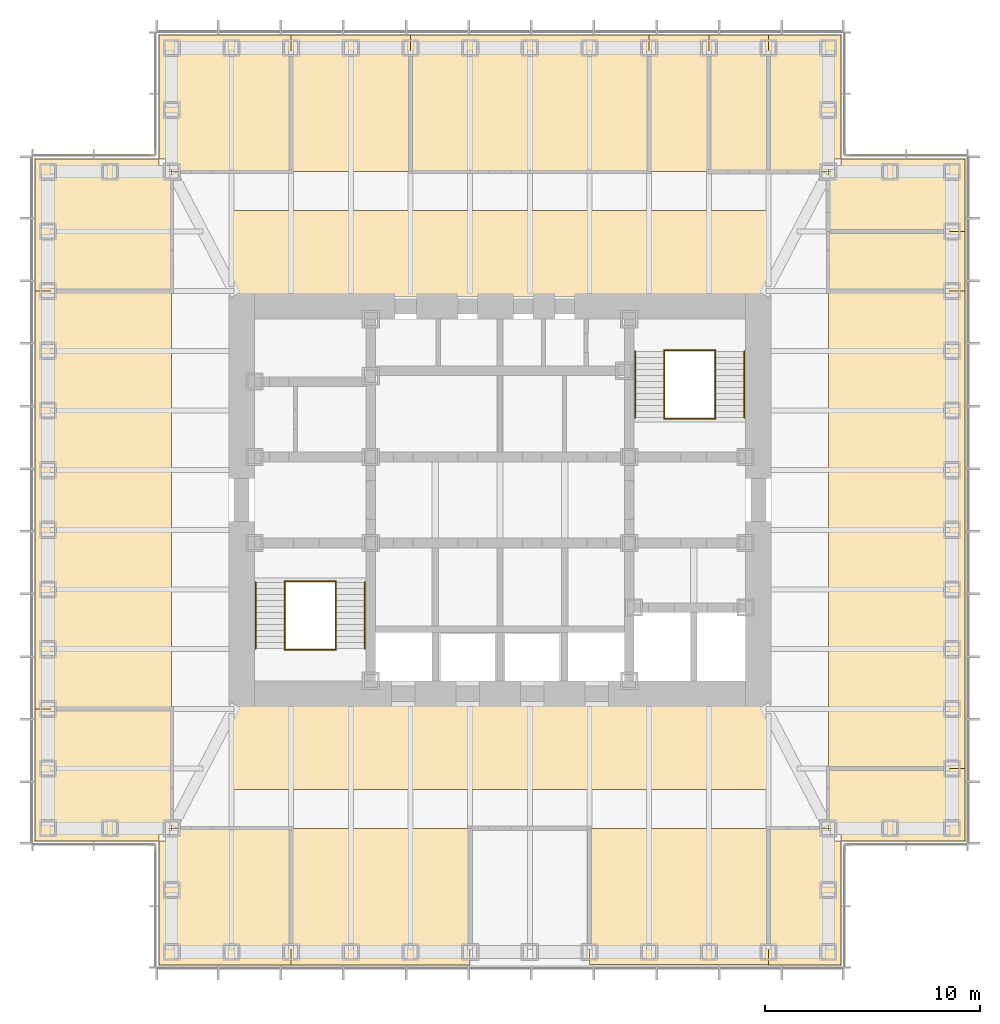
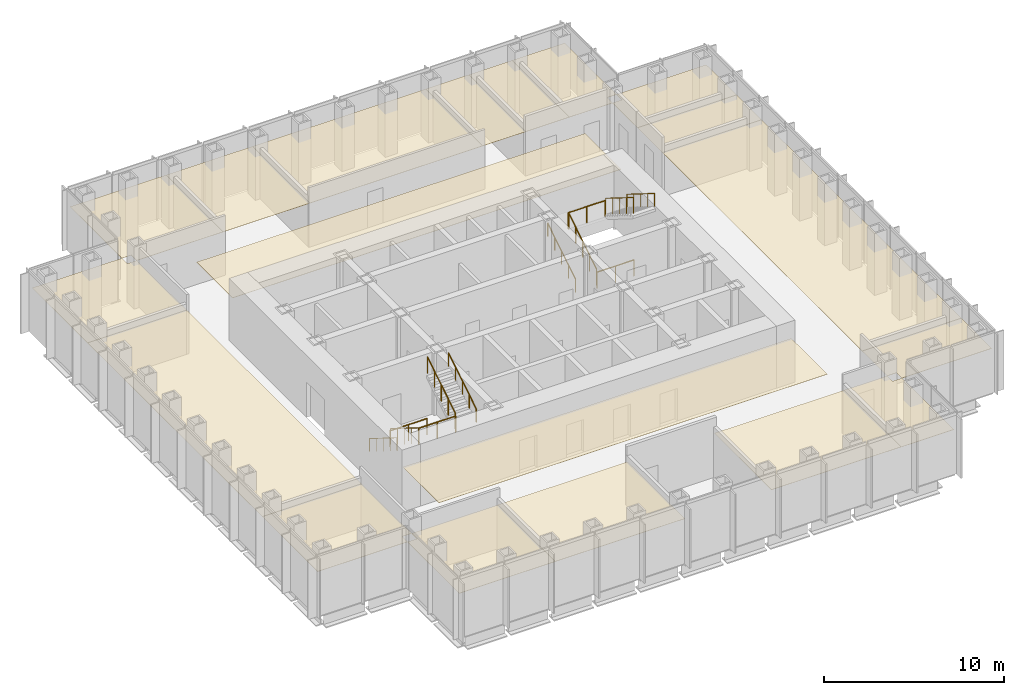
# One storey, part 16 of 16: 19 coverings, 12 railings.
"""IFC4 building model written with IfcOpenShell, lengths in metres."""

from ifc_helpers import new_model, si_unit, direction, frame, origin, origin_2d, place, context, subcontext, project, spatial, polyline, circle, outline, extrude, material, layer, layer_set, type_object, element, save


model = new_model("IFC4")

# Units and contexts
model_context = context("Model", 3, precision=1e-05, world=origin(), true_north=direction((0.0, 1.0)))
body_context = subcontext(model_context, "Body", "Model", "MODEL_VIEW")
ifc_project = project(units=[si_unit("LENGTHUNIT", "METRE"), si_unit("AREAUNIT", "SQUARE_METRE"), si_unit("VOLUMEUNIT", "CUBIC_METRE"), si_unit("PLANEANGLEUNIT", "RADIAN"), si_unit("MASSUNIT", "GRAM", prefix="KILO")], contexts=[model_context])

# Site, building, storey
site_placement = place(None, origin())
site = spatial("IfcSite", under=ifc_project, at=site_placement, CompositionType="ELEMENT")
building_placement = place(site_placement, origin())
building = spatial("IfcBuilding", under=site, at=building_placement, Name="Daluyong Arena Tower", CompositionType="ELEMENT")
storey_placement = place(building_placement, frame((0.0, 0.0, 254.5)))
storey = spatial("IfcBuildingStorey", under=building, at=storey_placement, Name="L57", CompositionType="ELEMENT", Elevation=254.5)

# Coverings
ifc_material_1 = material(Name="Mineral fibre ceiling tile", Category="gypsum board")
ifc_layer = layer(ifc_material_1, 0.02001953125)
ifc_layer_set = layer_set([ifc_layer], Name="Mineral fibre ceiling tile")
covering_type = type_object("IfcCoveringType", Name="Office ceiling", PredefinedType="CEILING", material=ifc_layer_set)
covering_1_placement = place(storey_placement, frame((0.0, 0.0, 2.89990234375)))
element("IfcCovering", 1, at=covering_1_placement, inside=storey, type_object=covering_type, Name="ceiling L57-01", PredefinedType="CEILING", context=body_context, shape_type="SweptSolid", body=[
    extrude(outline(polyline([(40.14990234375, 64.14990234375), (40.14990234375, 58.39990234375), (46.29541015625, 58.39990234375), (46.29541015625, 64.75), (40.75, 64.75), (40.75, 64.14990234375), (40.14990234375, 64.14990234375)])), origin(), (0.0, 0.0, 1.0), 0.02001953125),
])
covering_2_placement = place(storey_placement, frame((0.0, 0.0, 2.89990234375)))
element("IfcCovering", 2, at=covering_2_placement, inside=storey, type_object=covering_type, Name="ceiling L57-03", PredefinedType="CEILING", context=body_context, shape_type="SweptSolid", body=[
    extrude(outline(polyline([(71.85009765625, 58.39990234375), (71.85009765625, 64.14990234375), (71.25, 64.14990234375), (71.25, 64.75), (68.477294921875, 64.75), (68.477294921875, 58.39990234375), (71.85009765625, 58.39990234375)])), origin(), (0.0, 0.0, 1.0), 0.02001953125),
])
covering_3_placement = place(storey_placement, frame((0.0, 0.0, 2.89990234375)))
element("IfcCovering", 3, at=covering_3_placement, inside=storey, type_object=covering_type, Name="ceiling L57-04", PredefinedType="CEILING", context=body_context, shape_type="SweptSolid", body=[
    extrude(outline(polyline([(71.85009765625, 64.14990234375), (77.60009765625, 64.14990234375), (77.60009765625, 67.522705078125), (71.25, 67.522705078125), (71.25, 64.75), (71.85009765625, 64.75), (71.85009765625, 64.14990234375)])), origin(), (0.0, 0.0, 1.0), 0.02001953125),
])
covering_4_placement = place(storey_placement, frame((0.0, 0.0, 2.89990234375)))
element("IfcCovering", 4, at=covering_4_placement, inside=storey, type_object=covering_type, Name="ceiling L57-05", PredefinedType="CEILING", context=body_context, shape_type="SweptSolid", body=[
    extrude(outline(polyline([(71.25, 89.70458984375), (77.60009765625, 89.70458984375), (77.60009765625, 92.477294921875), (71.25, 92.477294921875), (71.25, 89.70458984375)])), origin(), (0.0, 0.0, 1.0), 0.02001953125),
])
covering_5_placement = place(storey_placement, frame((0.0, 0.0, 2.89990234375)))
element("IfcCovering", 5, at=covering_5_placement, inside=storey, type_object=covering_type, Name="ceiling L57-06", PredefinedType="CEILING", context=body_context, shape_type="SweptSolid", body=[
    extrude(outline(polyline([(71.25, 92.477294921875), (77.60009765625, 92.477294921875), (77.60009765625, 95.85009765625), (71.85009765625, 95.85009765625), (71.85009765625, 95.25), (71.25, 95.25), (71.25, 92.477294921875)])), origin(), (0.0, 0.0, 1.0), 0.02001953125),
])
covering_6_placement = place(storey_placement, frame((0.0, 0.0, 2.89990234375)))
element("IfcCovering", 6, at=covering_6_placement, inside=storey, type_object=covering_type, Name="ceiling L57-07", PredefinedType="CEILING", context=body_context, shape_type="SweptSolid", body=[
    extrude(outline(polyline([(46.29541015625, 95.25), (46.29541015625, 101.60009765625), (40.14990234375, 101.60009765625), (40.14990234375, 95.85009765625), (40.75, 95.85009765625), (40.75, 95.25), (46.29541015625, 95.25)])), origin(), (0.0, 0.0, 1.0), 0.02001953125),
])
covering_7_placement = place(storey_placement, frame((0.0, 0.0, 2.89990234375)))
element("IfcCovering", 7, at=covering_7_placement, inside=storey, type_object=covering_type, Name="ceiling L57-08", PredefinedType="CEILING", context=body_context, shape_type="SweptSolid", body=[
    extrude(outline(polyline([(62.931884765625, 95.25), (62.931884765625, 101.60009765625), (51.8408203125, 101.60009765625), (51.8408203125, 95.25), (62.931884765625, 95.25)])), origin(), (0.0, 0.0, 1.0), 0.02001953125),
])
covering_8_placement = place(storey_placement, frame((0.0, 0.0, 2.89990234375)))
element("IfcCovering", 8, at=covering_8_placement, inside=storey, type_object=covering_type, Name="ceiling L57-09", PredefinedType="CEILING", context=body_context, shape_type="SweptSolid", body=[
    extrude(outline(polyline([(68.477294921875, 95.25), (68.477294921875, 101.60009765625), (65.70458984375, 101.60009765625), (65.70458984375, 95.25), (68.477294921875, 95.25)])), origin(), (0.0, 0.0, 1.0), 0.02001953125),
])
covering_9_placement = place(storey_placement, frame((0.0, 0.0, 2.89990234375)))
element("IfcCovering", 9, at=covering_9_placement, inside=storey, type_object=covering_type, Name="ceiling L57-10", PredefinedType="CEILING", context=body_context, shape_type="SweptSolid", body=[
    extrude(outline(polyline([(68.477294921875, 95.25), (71.25, 95.25), (71.25, 95.85009765625), (71.85009765625, 95.85009765625), (71.85009765625, 101.60009765625), (68.477294921875, 101.60009765625), (68.477294921875, 95.25)])), origin(), (0.0, 0.0, 1.0), 0.02001953125),
])
covering_10_placement = place(storey_placement, frame((0.0, 0.0, 2.89990234375)))
element("IfcCovering", 10, at=covering_10_placement, inside=storey, type_object=covering_type, Name="ceiling L57-11", PredefinedType="CEILING", context=body_context, shape_type="SweptSolid", body=[
    extrude(outline(polyline([(34.39990234375, 64.14990234375), (40.14990234375, 64.14990234375), (40.14990234375, 64.75), (40.75, 64.75), (40.75, 70.29541015625), (34.39990234375, 70.29541015625), (34.39990234375, 64.14990234375)])), origin(), (0.0, 0.0, 1.0), 0.02001953125),
])
covering_11_placement = place(storey_placement, frame((0.0, 0.0, 2.89990234375)))
element("IfcCovering", 11, at=covering_11_placement, inside=storey, type_object=covering_type, Name="ceiling L57-12", PredefinedType="CEILING", context=body_context, shape_type="SweptSolid", body=[
    extrude(outline(polyline([(40.75, 89.70458984375), (40.75, 95.25), (40.14990234375, 95.25), (40.14990234375, 95.85009765625), (34.39990234375, 95.85009765625), (34.39990234375, 89.70458984375), (40.75, 89.70458984375)])), origin(), (0.0, 0.0, 1.0), 0.02001953125),
])
covering_12_placement = place(storey_placement, frame((0.0, 0.0, 2.89990234375)))
element("IfcCovering", 12, at=covering_12_placement, inside=storey, type_object=covering_type, Name="ceiling L57-14", PredefinedType="CEILING", context=body_context, shape_type="SweptSolid", body=[
    extrude(outline(polyline([(60.169189453125, 64.739990234375), (60.169189453125, 58.409912109375), (68.449462890625, 58.409912109375), (68.449951171875, 58.39990234375), (68.477294921875, 58.39990234375), (68.477294921875, 64.75), (68.449951171875, 64.75), (68.449462890625, 64.739990234375), (60.169189453125, 64.739990234375)])), origin(), (0.0, 0.0, 1.0), 0.02001953125),
])
covering_13_placement = place(storey_placement, frame((0.0, 0.0, 2.89990234375)))
element("IfcCovering", 13, at=covering_13_placement, inside=storey, type_object=covering_type, Name="ceiling L57-15", PredefinedType="CEILING", context=body_context, shape_type="SweptSolid", body=[
    extrude(outline(polyline([(46.29541015625, 58.39990234375), (54.613525390625, 58.39990234375), (54.613525390625, 64.75), (46.29541015625, 64.75), (46.29541015625, 58.39990234375)])), origin(), (0.0, 0.0, 1.0), 0.02001953125),
])
covering_14_placement = place(storey_placement, frame((0.0, 0.0, 2.89990234375)))
element("IfcCovering", 14, at=covering_14_placement, inside=storey, type_object=covering_type, Name="ceiling L57-16", PredefinedType="CEILING", context=body_context, shape_type="SweptSolid", body=[
    extrude(outline(polyline([(68.449951171875, 66.550048828125), (68.449951171875, 70.550048828125), (43.550048828125, 70.550048828125), (43.550048828125, 66.550048828125), (68.449951171875, 66.550048828125)])), origin(), (0.0, 0.0, 1.0), 0.02001953125),
])
covering_15_placement = place(storey_placement, frame((0.0, 0.0, 2.89990234375)))
element("IfcCovering", 15, at=covering_15_placement, inside=storey, type_object=covering_type, Name="ceiling L57-17", PredefinedType="CEILING", context=body_context, shape_type="SweptSolid", body=[
    extrude(outline(polyline([(77.60009765625, 67.522705078125), (77.60009765625, 89.70458984375), (71.25, 89.70458984375), (71.25, 67.522705078125), (77.60009765625, 67.522705078125)])), origin(), (0.0, 0.0, 1.0), 0.02001953125),
])
covering_16_placement = place(storey_placement, frame((0.0, 0.0, 2.89990234375)))
element("IfcCovering", 16, at=covering_16_placement, inside=storey, type_object=covering_type, Name="ceiling L57-18", PredefinedType="CEILING", context=body_context, shape_type="SweptSolid", body=[
    extrude(outline(polyline([(51.8408203125, 101.60009765625), (46.29541015625, 101.60009765625), (46.29541015625, 95.25), (51.8408203125, 95.25), (51.8408203125, 101.60009765625)])), origin(), (0.0, 0.0, 1.0), 0.02001953125),
])
covering_17_placement = place(storey_placement, frame((0.0, 0.0, 2.89990234375)))
element("IfcCovering", 17, at=covering_17_placement, inside=storey, type_object=covering_type, Name="ceiling L57-19", PredefinedType="CEILING", context=body_context, shape_type="SweptSolid", body=[
    extrude(outline(polyline([(65.70458984375, 101.60009765625), (62.931884765625, 101.60009765625), (62.931884765625, 95.25), (65.70458984375, 95.25), (65.70458984375, 101.60009765625)])), origin(), (0.0, 0.0, 1.0), 0.02001953125),
])
covering_18_placement = place(storey_placement, frame((0.0, 0.0, 2.89990234375)))
element("IfcCovering", 18, at=covering_18_placement, inside=storey, type_object=covering_type, Name="ceiling L57-20", PredefinedType="CEILING", context=body_context, shape_type="SweptSolid", body=[
    extrude(outline(polyline([(43.550048828125, 93.449951171875), (43.550048828125, 89.449951171875), (68.449951171875, 89.449951171875), (68.449951171875, 93.449951171875), (43.550048828125, 93.449951171875)])), origin(), (0.0, 0.0, 1.0), 0.02001953125),
])
covering_19_placement = place(storey_placement, frame((0.0, 0.0, 2.89990234375)))
element("IfcCovering", 19, at=covering_19_placement, inside=storey, type_object=covering_type, Name="ceiling L57-21", PredefinedType="CEILING", context=body_context, shape_type="SweptSolid", body=[
    extrude(outline(polyline([(40.75, 70.29541015625), (40.75, 89.70458984375), (34.39990234375, 89.70458984375), (34.39990234375, 70.29541015625), (40.75, 70.29541015625)])), origin(), (0.0, 0.0, 1.0), 0.02001953125),
])

# Railings
ifc_material_2 = material(Name="Stainless steel handrail", Category="steel")
railing_type_1 = type_object("IfcRailingType", Name="Stair handrail", PredefinedType="HANDRAIL", material=ifc_material_2)
railing_1_placement = place(storey_placement, frame((44.64990234375, 76.175048828125, 0.175048828125)))
element("IfcRailing", 20, at=railing_1_placement, inside=storey, type_object=railing_type_1, Name="exit stair A handrail L57", PredefinedType="HANDRAIL", context=body_context, shape_type="SweptSolid", body=[
    extrude(circle(Radius=0.02392578125, at=origin_2d()), frame((0.0, 0.0, 0.8759765625), z_axis=(0.0, -0.847998304005, 0.529998940003), x_axis=(1.0, 0.0, 0.0)), (0.0, 0.0, 1.0), 3.632080078125),
    extrude(circle(Radius=0.02099609375, at=origin_2d()), origin(), (0.0, 0.0, 1.0), 0.851806640625),
    extrude(circle(Radius=0.02099609375, at=origin_2d()), frame((0.0, -0.77001953125, 0.481201171875)), (0.0, 0.0, 1.0), 0.851806640625),
    extrude(circle(Radius=0.02099609375, at=origin_2d()), frame((0.0, -1.5400390625, 0.96240234375)), (0.0, 0.0, 1.0), 0.851806640625),
    extrude(circle(Radius=0.02099609375, at=origin_2d()), frame((0.0, -2.31005859375, 1.44384765625)), (0.0, 0.0, 1.0), 0.851806640625),
    extrude(circle(Radius=0.02099609375, at=origin_2d()), frame((0.0, -3.080078125, 1.925048828125)), (0.0, 0.0, 1.0), 0.851806640625),
])
for number, where, name in (
    (21, (49.72509765625, 73.094970703125, 2.27490234375), "exit stair A handrail L57"),
    (22, (62.27490234375, 83.824951171875, 0.175048828125), "exit stair B handrail L57"),
):
    element("IfcRailing", number, at=place(storey_placement, frame(where)), inside=storey, type_object=railing_type_1, Name=name, PredefinedType="HANDRAIL", context=body_context, shape_type="SweptSolid", body=[
        extrude(circle(Radius=0.02392578125, at=origin_2d()), frame((0.0, 0.0, 0.8759765625), z_axis=(0.0, 0.847998304005, 0.529998940003), x_axis=(-1.0, 0.0, 0.0)), (0.0, 0.0, 1.0), 3.632080078125),
        extrude(circle(Radius=0.02099609375, at=origin_2d()), origin(), (0.0, 0.0, 1.0), 0.851806640625),
        extrude(circle(Radius=0.02099609375, at=origin_2d()), frame((0.0, 0.77001953125, 0.481201171875)), (0.0, 0.0, 1.0), 0.851806640625),
        extrude(circle(Radius=0.02099609375, at=origin_2d()), frame((0.0, 1.5400390625, 0.96240234375)), (0.0, 0.0, 1.0), 0.851806640625),
        extrude(circle(Radius=0.02099609375, at=origin_2d()), frame((0.0, 2.31005859375, 1.44384765625)), (0.0, 0.0, 1.0), 0.851806640625),
        extrude(circle(Radius=0.02099609375, at=origin_2d()), frame((0.0, 3.080078125, 1.925048828125)), (0.0, 0.0, 1.0), 0.851806640625),
    ])
railing_2_placement = place(storey_placement, frame((67.35009765625, 86.905029296875, 2.27490234375)))
element("IfcRailing", 23, at=railing_2_placement, inside=storey, type_object=railing_type_1, Name="exit stair B handrail L57", PredefinedType="HANDRAIL", context=body_context, shape_type="SweptSolid", body=[
    extrude(circle(Radius=0.02392578125, at=origin_2d()), frame((0.0, 0.0, 0.8759765625), z_axis=(0.0, -0.847998304005, 0.529998940003), x_axis=(1.0, 0.0, 0.0)), (0.0, 0.0, 1.0), 3.632080078125),
    extrude(circle(Radius=0.02099609375, at=origin_2d()), origin(), (0.0, 0.0, 1.0), 0.851806640625),
    extrude(circle(Radius=0.02099609375, at=origin_2d()), frame((0.0, -0.77001953125, 0.481201171875)), (0.0, 0.0, 1.0), 0.851806640625),
    extrude(circle(Radius=0.02099609375, at=origin_2d()), frame((0.0, -1.5400390625, 0.96240234375)), (0.0, 0.0, 1.0), 0.851806640625),
    extrude(circle(Radius=0.02099609375, at=origin_2d()), frame((0.0, -2.31005859375, 1.44384765625)), (0.0, 0.0, 1.0), 0.851806640625),
    extrude(circle(Radius=0.02099609375, at=origin_2d()), frame((0.0, -3.080078125, 1.925048828125)), (0.0, 0.0, 1.0), 0.851806640625),
])
ifc_material_3 = material(Name="Steel balustrade", Category="steel")
railing_type_2 = type_object("IfcRailingType", Name="Stair well guard 1100", PredefinedType="GUARDRAIL", material=ifc_material_3)
railing_3_placement = place(storey_placement, frame((46.0, 76.175048828125, 0.175048828125)))
element("IfcRailing", 24, at=railing_3_placement, inside=storey, type_object=railing_type_2, Name="exit stair A well guard L57", PredefinedType="GUARDRAIL", context=body_context, shape_type="SweptSolid", body=[
    extrude(circle(Radius=0.02392578125, at=origin_2d()), frame((0.0, 0.0, 1.076171875), z_axis=(0.0, -0.847998304005, 0.529998940003), x_axis=(1.0, 0.0, 0.0)), (0.0, 0.0, 1.0), 3.632080078125),
    extrude(circle(Radius=0.02099609375, at=origin_2d()), origin(), (0.0, 0.0, 1.0), 1.052001953125),
    extrude(circle(Radius=0.02099609375, at=origin_2d()), frame((0.0, -0.77001953125, 0.481201171875)), (0.0, 0.0, 1.0), 1.052001953125),
    extrude(circle(Radius=0.02099609375, at=origin_2d()), frame((0.0, -1.5400390625, 0.96240234375)), (0.0, 0.0, 1.0), 1.052001953125),
    extrude(circle(Radius=0.02099609375, at=origin_2d()), frame((0.0, -2.31005859375, 1.44384765625)), (0.0, 0.0, 1.0), 1.052001953125),
    extrude(circle(Radius=0.02099609375, at=origin_2d()), frame((0.0, -3.080078125, 1.925048828125)), (0.0, 0.0, 1.0), 1.052001953125),
])
railing_4_placement = place(storey_placement, frame((48.375, 73.094970703125, 2.27490234375)))
element("IfcRailing", 25, at=railing_4_placement, inside=storey, type_object=railing_type_2, Name="exit stair A well guard L57", PredefinedType="GUARDRAIL", context=body_context, shape_type="SweptSolid", body=[
    extrude(circle(Radius=0.02392578125, at=origin_2d()), frame((0.0, 0.0, 1.076171875), z_axis=(0.0, 0.847998304005, 0.529998940003), x_axis=(-1.0, 0.0, 0.0)), (0.0, 0.0, 1.0), 3.632080078125),
    extrude(circle(Radius=0.02099609375, at=origin_2d()), origin(), (0.0, 0.0, 1.0), 1.052001953125),
    extrude(circle(Radius=0.02099609375, at=origin_2d()), frame((0.0, 0.77001953125, 0.481201171875)), (0.0, 0.0, 1.0), 1.052001953125),
    extrude(circle(Radius=0.02099609375, at=origin_2d()), frame((0.0, 1.5400390625, 0.96240234375)), (0.0, 0.0, 1.0), 1.052001953125),
    extrude(circle(Radius=0.02099609375, at=origin_2d()), frame((0.0, 2.31005859375, 1.44384765625)), (0.0, 0.0, 1.0), 1.052001953125),
    extrude(circle(Radius=0.02099609375, at=origin_2d()), frame((0.0, 3.080078125, 1.925048828125)), (0.0, 0.0, 1.0), 1.052001953125),
])
for number, where, name in (
    (26, (46.0, 73.044921875, 2.10009765625), "exit stair A landing guard L57"),
    (27, (46.0, 76.22509765625, 0.0), "exit stair A floor landing guard L57"),
):
    element("IfcRailing", number, at=place(storey_placement, frame(where)), inside=storey, type_object=railing_type_2, Name=name, PredefinedType="GUARDRAIL", context=body_context, shape_type="SweptSolid", body=[
        extrude(circle(Radius=0.02392578125, at=origin_2d()), frame((0.0, 0.0, 1.076171875), z_axis=(1.0, 0.0, 0.0), x_axis=(0.0, 1.0, 0.0)), (0.0, 0.0, 1.0), 2.375),
        extrude(circle(Radius=0.02099609375, at=origin_2d()), origin(), (0.0, 0.0, 1.0), 1.052001953125),
        extrude(circle(Radius=0.02099609375, at=origin_2d()), frame((1.1875, 0.0, 0.0)), (0.0, 0.0, 1.0), 1.052001953125),
        extrude(circle(Radius=0.02099609375, at=origin_2d()), frame((2.375, 0.0, 0.0)), (0.0, 0.0, 1.0), 1.052001953125),
    ])
railing_5_placement = place(storey_placement, frame((63.625, 83.824951171875, 0.175048828125)))
element("IfcRailing", 28, at=railing_5_placement, inside=storey, type_object=railing_type_2, Name="exit stair B well guard L57", PredefinedType="GUARDRAIL", context=body_context, shape_type="SweptSolid", body=[
    extrude(circle(Radius=0.02392578125, at=origin_2d()), frame((0.0, 0.0, 1.076171875), z_axis=(0.0, 0.847998304005, 0.529998940003), x_axis=(-1.0, 0.0, 0.0)), (0.0, 0.0, 1.0), 3.632080078125),
    extrude(circle(Radius=0.02099609375, at=origin_2d()), origin(), (0.0, 0.0, 1.0), 1.052001953125),
    extrude(circle(Radius=0.02099609375, at=origin_2d()), frame((0.0, 0.77001953125, 0.481201171875)), (0.0, 0.0, 1.0), 1.052001953125),
    extrude(circle(Radius=0.02099609375, at=origin_2d()), frame((0.0, 1.5400390625, 0.96240234375)), (0.0, 0.0, 1.0), 1.052001953125),
    extrude(circle(Radius=0.02099609375, at=origin_2d()), frame((0.0, 2.31005859375, 1.44384765625)), (0.0, 0.0, 1.0), 1.052001953125),
    extrude(circle(Radius=0.02099609375, at=origin_2d()), frame((0.0, 3.080078125, 1.925048828125)), (0.0, 0.0, 1.0), 1.052001953125),
])
railing_6_placement = place(storey_placement, frame((66.0, 86.905029296875, 2.27490234375)))
element("IfcRailing", 29, at=railing_6_placement, inside=storey, type_object=railing_type_2, Name="exit stair B well guard L57", PredefinedType="GUARDRAIL", context=body_context, shape_type="SweptSolid", body=[
    extrude(circle(Radius=0.02392578125, at=origin_2d()), frame((0.0, 0.0, 1.076171875), z_axis=(0.0, -0.847998304005, 0.529998940003), x_axis=(1.0, 0.0, 0.0)), (0.0, 0.0, 1.0), 3.632080078125),
    extrude(circle(Radius=0.02099609375, at=origin_2d()), origin(), (0.0, 0.0, 1.0), 1.052001953125),
    extrude(circle(Radius=0.02099609375, at=origin_2d()), frame((0.0, -0.77001953125, 0.481201171875)), (0.0, 0.0, 1.0), 1.052001953125),
    extrude(circle(Radius=0.02099609375, at=origin_2d()), frame((0.0, -1.5400390625, 0.96240234375)), (0.0, 0.0, 1.0), 1.052001953125),
    extrude(circle(Radius=0.02099609375, at=origin_2d()), frame((0.0, -2.31005859375, 1.44384765625)), (0.0, 0.0, 1.0), 1.052001953125),
    extrude(circle(Radius=0.02099609375, at=origin_2d()), frame((0.0, -3.080078125, 1.925048828125)), (0.0, 0.0, 1.0), 1.052001953125),
])
for number, where, name in (
    (30, (63.625, 86.955078125, 2.10009765625), "exit stair B landing guard L57"),
    (31, (63.625, 83.77490234375, 0.0), "exit stair B floor landing guard L57"),
):
    element("IfcRailing", number, at=place(storey_placement, frame(where)), inside=storey, type_object=railing_type_2, Name=name, PredefinedType="GUARDRAIL", context=body_context, shape_type="SweptSolid", body=[
        extrude(circle(Radius=0.02392578125, at=origin_2d()), frame((0.0, 0.0, 1.076171875), z_axis=(1.0, 0.0, 0.0), x_axis=(0.0, 1.0, 0.0)), (0.0, 0.0, 1.0), 2.375),
        extrude(circle(Radius=0.02099609375, at=origin_2d()), origin(), (0.0, 0.0, 1.0), 1.052001953125),
        extrude(circle(Radius=0.02099609375, at=origin_2d()), frame((1.1875, 0.0, 0.0)), (0.0, 0.0, 1.0), 1.052001953125),
        extrude(circle(Radius=0.02099609375, at=origin_2d()), frame((2.375, 0.0, 0.0)), (0.0, 0.0, 1.0), 1.052001953125),
    ])

save(model, "model.ifc")
